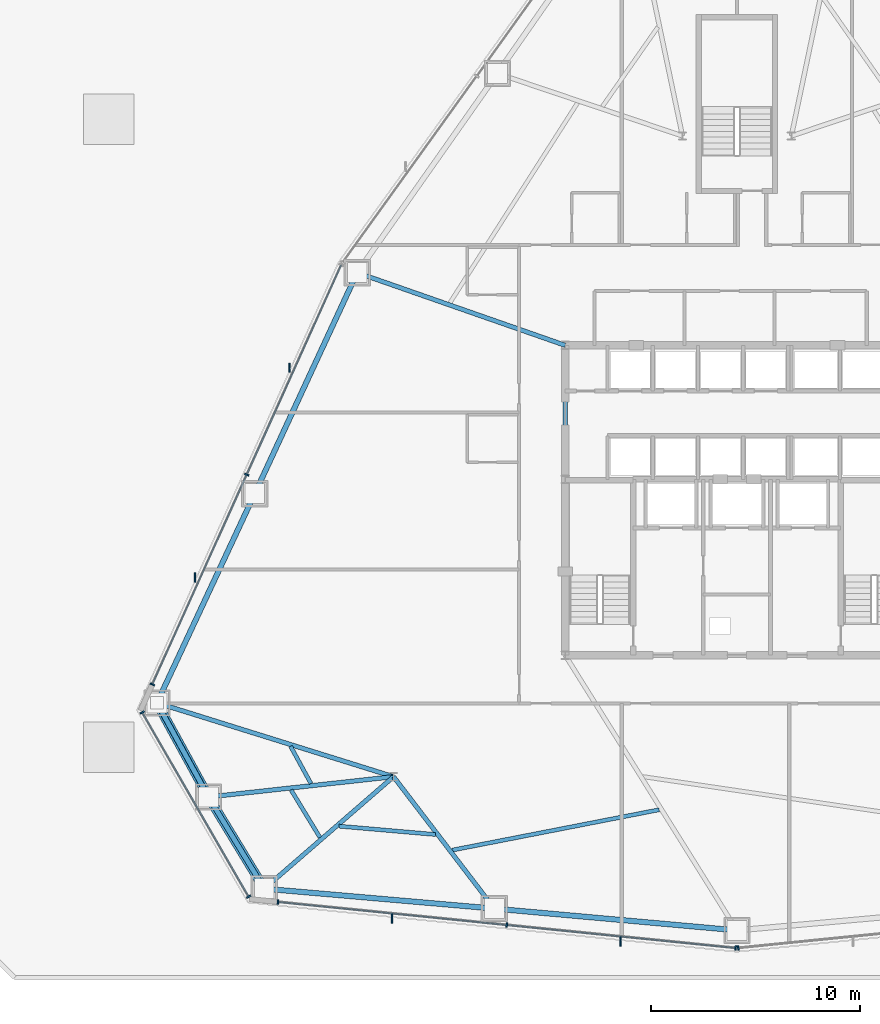
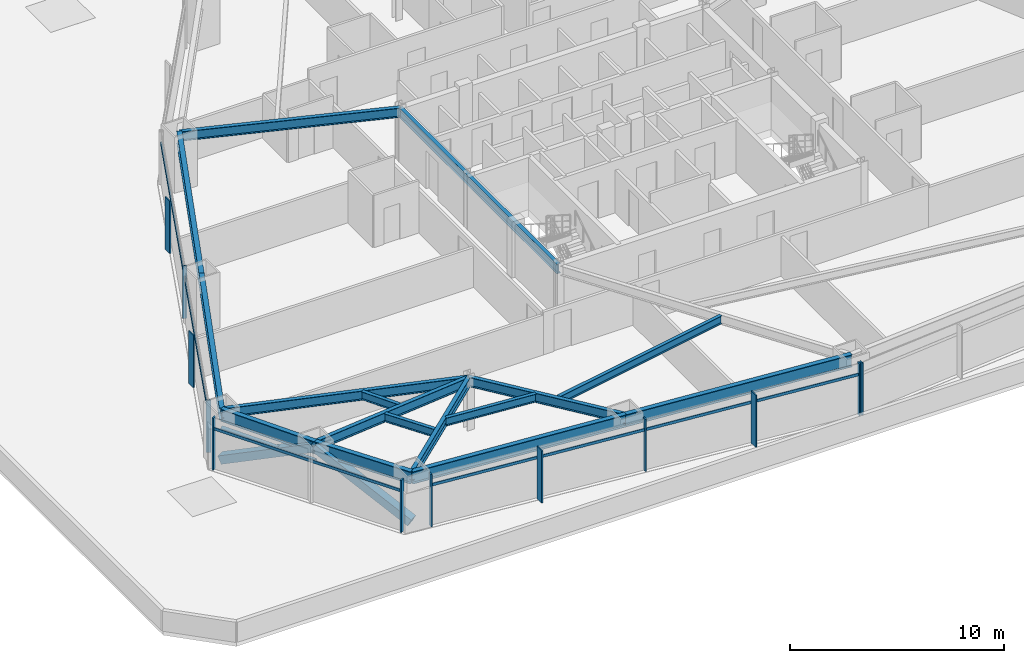
# One storey, part 5 of 17: 18 members, 16 beams, 4 elements without a shape of their own.
"""IFC4 building model written with IfcOpenShell, lengths in metres."""

from ifc_helpers import new_model, si_unit, direction, frame, origin, origin_2d, place, context, subcontext, project, spatial, rectangle, hollow_rectangle, hollow_circle, i_section, extrude, source, transform, mapped, material, layer, layer_set, material_profile, profile_set, type_object, type_shapes, element, aggregate, save


model = new_model("IFC4")

# Units and contexts
model_context = context("Model", 3, precision=1e-05, world=origin(), true_north=direction((0.0, 1.0)))
body_context = subcontext(model_context, "Body", "Model", "MODEL_VIEW")
ifc_project = project(units=[si_unit("LENGTHUNIT", "METRE"), si_unit("AREAUNIT", "SQUARE_METRE"), si_unit("VOLUMEUNIT", "CUBIC_METRE"), si_unit("PLANEANGLEUNIT", "RADIAN"), si_unit("MASSUNIT", "GRAM", prefix="KILO")], contexts=[model_context])

# Site, building, storey
site_placement = place(None, origin())
site = spatial("IfcSite", under=ifc_project, at=site_placement, CompositionType="ELEMENT")
building_placement = place(site_placement, origin())
building = spatial("IfcBuilding", under=site, at=building_placement, Name="Varakhsha Concourse Tower", CompositionType="ELEMENT")
storey_placement = place(building_placement, frame((0.0, 0.0, 27.199951171875)))
storey = spatial("IfcBuildingStorey", under=building, at=storey_placement, Name="L06", CompositionType="ELEMENT", Elevation=27.199951171875)

# Beams
ifc_material_1 = material(Name="Structural Steel ASTM A992 Grade 50", Category="steel")
ifc_material_profile_1 = material_profile(ifc_material_1, i_section(OverallWidth=0.19091796875, OverallDepth=0.45703125, WebThickness=0.009033203125, FlangeThickness=0.013916015625, at=origin_2d()), Name="W18X50")
ifc_profile_set_1 = profile_set([ifc_material_profile_1], Name="Structural Steel ASTM A992 Grade 50")
beam_type_1 = type_object("IfcBeamType", Name="BM-JST-W18X50", PredefinedType="JOIST", material=ifc_profile_set_1)
beam_1_placement = place(storey_placement, frame((18.68212890625, 12.054931640625, 2.75146484375), z_axis=(0.480061927363, -0.877234601402, 0.0), x_axis=(0.877234601402, 0.480061927363, 0.0)))
element("IfcBeam", 1, at=beam_1_placement, inside=storey, type_object=beam_type_1, Name="BM-TJST-L06-07", PredefinedType="JOIST", context=body_context, shape_type="SweptSolid", body=[
    extrude(i_section(OverallWidth=0.19091796875, OverallDepth=0.45703125, WebThickness=0.009033203125, FlangeThickness=0.013916015625, at=origin_2d()), origin(), (0.0, 0.0, 1.0), 2.03515625),
])
beam_2_placement = place(storey_placement, frame((18.708984375, 9.962890625, 2.75146484375), z_axis=(0.519566972443, -0.854429728618, 0.0), x_axis=(0.854429728618, 0.519566972443, 0.0)))
element("IfcBeam", 2, at=beam_2_placement, inside=storey, type_object=beam_type_1, Name="BM-TJST-L06-08", PredefinedType="JOIST", context=body_context, shape_type="SweptSolid", body=[
    extrude(i_section(OverallWidth=0.19091796875, OverallDepth=0.45703125, WebThickness=0.009033203125, FlangeThickness=0.013916015625, at=origin_2d()), origin(), (0.0, 0.0, 1.0), 2.650146484375),
])
beam_3_placement = place(storey_placement, frame((20.993408203125, 8.23681640625, 2.75146484375), z_axis=(0.996276100102, -0.08622025496, 0.0), x_axis=(0.08622025496, 0.996276100102, 0.0)))
element("IfcBeam", 3, at=beam_3_placement, inside=storey, type_object=beam_type_1, Name="BM-TJST-L06-09", PredefinedType="JOIST", context=body_context, shape_type="SweptSolid", body=[
    extrude(i_section(OverallWidth=0.19091796875, OverallDepth=0.45703125, WebThickness=0.009033203125, FlangeThickness=0.013916015625, at=origin_2d()), origin(), (0.0, 0.0, 1.0), 4.632568359375),
])
beam_4_placement = place(storey_placement, frame((26.40380859375, 7.0927734375, 2.75146484375), z_axis=(0.981492370996, 0.191501241972, 0.0), x_axis=(-0.191501241972, 0.981492370996, 0.0)))
element("IfcBeam", 4, at=beam_4_placement, inside=storey, type_object=beam_type_1, Name="BM-TJST-L06-10", PredefinedType="JOIST", context=body_context, shape_type="SweptSolid", body=[
    extrude(i_section(OverallWidth=0.19091796875, OverallDepth=0.45703125, WebThickness=0.009033203125, FlangeThickness=0.013916015625, at=origin_2d()), origin(), (0.0, 0.0, 1.0), 10.06640625),
])
ifc_material_profile_2 = material_profile(ifc_material_1, i_section(OverallWidth=0.2109375, OverallDepth=0.5390625, WebThickness=0.011962890625, FlangeThickness=0.01904296875, at=origin_2d()), Name="W21X73")
ifc_profile_set_2 = profile_set([ifc_material_profile_2], Name="Structural Steel ASTM A992 Grade 50")
beam_type_2 = type_object("IfcBeamType", Name="BM-RAD-W21X73", PredefinedType="BEAM", material=ifc_profile_set_2)
beam_5_placement = place(storey_placement, frame((31.800048828125, 16.39990234375, 2.71044921875), z_axis=(0.0, 1.0, 0.0), x_axis=(-1.0, 0.0, 0.0)))
element("IfcBeam", 5, at=beam_5_placement, inside=storey, type_object=beam_type_2, Name="BM-TCORE-L06-CW", PredefinedType="BEAM", context=body_context, shape_type="SweptSolid", body=[
    extrude(i_section(OverallWidth=0.2109375, OverallDepth=0.5390625, WebThickness=0.011962890625, FlangeThickness=0.01904296875, at=origin_2d()), origin(), (0.0, 0.0, 1.0), 14.800048828125),
])
beam_6_placement = place(storey_placement, frame((31.800048828125, 31.199951171875, 2.71044921875), z_axis=(-0.944069395278, 0.329746837587, 0.0), x_axis=(-0.329746837587, -0.944069395278, 0.0)))
element("IfcBeam", 6, at=beam_6_placement, inside=storey, type_object=beam_type_2, Name="L06 Radial Floor Girder 05", PredefinedType="BEAM", context=body_context, shape_type="SweptSolid", body=[
    extrude(i_section(OverallWidth=0.2109375, OverallDepth=0.5390625, WebThickness=0.011962890625, FlangeThickness=0.01904296875, at=origin_2d()), origin(), (0.0, 0.0, 1.0), 10.523193359375),
])
beam_7_placement = place(storey_placement, frame((23.60009765625, 10.60009765625, 2.71044921875), z_axis=(-0.954595165952, 0.297906141495, 0.0), x_axis=(-0.297906141495, -0.954595165952, 0.0)))
element("IfcBeam", 7, at=beam_7_placement, inside=storey, type_object=beam_type_2, Name="L06 Radial Floor Girder 07", PredefinedType="BEAM", context=body_context, shape_type="SweptSolid", body=[
    extrude(i_section(OverallWidth=0.2109375, OverallDepth=0.5390625, WebThickness=0.011962890625, FlangeThickness=0.01904296875, at=origin_2d()), origin(), (0.0, 0.0, 1.0), 11.834716796875),
])
beam_8_placement = place(storey_placement, frame((23.60009765625, 10.60009765625, 2.71044921875), z_axis=(-0.994025918026, -0.109144281995, 0.0), x_axis=(0.109144281995, -0.994025918026, 0.0)))
element("IfcBeam", 8, at=beam_8_placement, inside=storey, type_object=beam_type_2, Name="L06 Radial Floor Girder 08", PredefinedType="BEAM", context=body_context, shape_type="SweptSolid", body=[
    extrude(i_section(OverallWidth=0.2109375, OverallDepth=0.5390625, WebThickness=0.011962890625, FlangeThickness=0.01904296875, at=origin_2d()), origin(), (0.0, 0.0, 1.0), 8.889404296875),
])
beam_9_placement = place(storey_placement, frame((23.60009765625, 10.60009765625, 2.71044921875), z_axis=(-0.755728528056, -0.65488502188, 0.0), x_axis=(0.65488502188, -0.755728528056, 0.0)))
element("IfcBeam", 9, at=beam_9_placement, inside=storey, type_object=beam_type_2, Name="L06 Radial Floor Girder 09", PredefinedType="BEAM", context=body_context, shape_type="SweptSolid", body=[
    extrude(i_section(OverallWidth=0.2109375, OverallDepth=0.5390625, WebThickness=0.011962890625, FlangeThickness=0.01904296875, at=origin_2d()), origin(), (0.0, 0.0, 1.0), 8.16845703125),
])
beam_10_placement = place(storey_placement, frame((23.60009765625, 10.60009765625, 2.71044921875), z_axis=(0.607124337511, -0.794606845428, 0.0), x_axis=(0.794606845428, 0.607124337511, 0.0)))
element("IfcBeam", 10, at=beam_10_placement, inside=storey, type_object=beam_type_2, Name="L06 Radial Floor Girder 10", PredefinedType="BEAM", context=body_context, shape_type="SweptSolid", body=[
    extrude(i_section(OverallWidth=0.2109375, OverallDepth=0.5390625, WebThickness=0.011962890625, FlangeThickness=0.01904296875, at=origin_2d()), origin(), (0.0, 0.0, 1.0), 7.92919921875),
])
ifc_material_profile_3 = material_profile(ifc_material_1, i_section(OverallWidth=0.25390625, OverallDepth=0.701904296875, WebThickness=0.014892578125, FlangeThickness=0.028076171875, at=origin_2d()), Name="W27X129")
ifc_profile_set_3 = profile_set([ifc_material_profile_3], Name="Structural Steel ASTM A992 Grade 50")
beam_type_3 = type_object("IfcBeamType", Name="BM-SPAN-W27X129", PredefinedType="SPANDREL", material=ifc_profile_set_3)
beam_11_placement = place(storey_placement, frame((21.865478515625, 34.669921875, 2.629150390625), z_axis=(-0.420598806974, -0.907246737978, 0.0), x_axis=(0.907246737978, -0.420598806974, 0.0)))
element("IfcBeam", 11, at=beam_11_placement, inside=storey, type_object=beam_type_3, Name="BM-SPAN-L06-05", PredefinedType="SPANDREL", context=body_context, shape_type="SweptSolid", body=[
    extrude(i_section(OverallWidth=0.25390625, OverallDepth=0.701904296875, WebThickness=0.014892578125, FlangeThickness=0.028076171875, at=origin_2d()), origin(), (0.0, 0.0, 1.0), 11.63232421875),
])
beam_12_placement = place(storey_placement, frame((16.972900390625, 24.116455078125, 2.629150390625), z_axis=(-0.423468305163, -0.90591091975, 0.0), x_axis=(0.90591091975, -0.423468305163, 0.0)))
element("IfcBeam", 12, at=beam_12_placement, inside=storey, type_object=beam_type_3, Name="BM-SPAN-L06-06", PredefinedType="SPANDREL", context=body_context, shape_type="SweptSolid", body=[
    extrude(i_section(OverallWidth=0.25390625, OverallDepth=0.701904296875, WebThickness=0.014892578125, FlangeThickness=0.028076171875, at=origin_2d()), origin(), (0.0, 0.0, 1.0), 11.0283203125),
])
beam_13_placement = place(storey_placement, frame((12.302734375, 14.125732421875, 2.629150390625), z_axis=(0.480189853619, -0.877164582323, 0.0), x_axis=(0.877164582323, 0.480189853619, 0.0)))
element("IfcBeam", 13, at=beam_13_placement, inside=storey, type_object=beam_type_3, Name="BM-SPAN-L06-07", PredefinedType="SPANDREL", context=body_context, shape_type="SweptSolid", body=[
    extrude(i_section(OverallWidth=0.25390625, OverallDepth=0.701904296875, WebThickness=0.014892578125, FlangeThickness=0.028076171875, at=origin_2d()), origin(), (0.0, 0.0, 1.0), 5.12548828125),
])
beam_14_placement = place(storey_placement, frame((14.763916015625, 9.6298828125, 2.629150390625), z_axis=(0.519593292706, -0.854413723072, 0.0), x_axis=(0.854413723072, 0.519593292706, 0.0)))
element("IfcBeam", 14, at=beam_14_placement, inside=storey, type_object=beam_type_3, Name="BM-SPAN-L06-08", PredefinedType="SPANDREL", context=body_context, shape_type="SweptSolid", body=[
    extrude(i_section(OverallWidth=0.25390625, OverallDepth=0.701904296875, WebThickness=0.014892578125, FlangeThickness=0.028076171875, at=origin_2d()), origin(), (0.0, 0.0, 1.0), 5.125244140625),
])
beam_15_placement = place(storey_placement, frame((17.427001953125, 5.250732421875, 2.629150390625), z_axis=(0.996273577178, -0.086249402411, 0.0), x_axis=(0.086249402411, 0.996273577178, 0.0)))
element("IfcBeam", 15, at=beam_15_placement, inside=storey, type_object=beam_type_3, Name="BM-SPAN-L06-09", PredefinedType="SPANDREL", context=body_context, shape_type="SweptSolid", body=[
    extrude(i_section(OverallWidth=0.25390625, OverallDepth=0.701904296875, WebThickness=0.014892578125, FlangeThickness=0.028076171875, at=origin_2d()), origin(), (0.0, 0.0, 1.0), 11.028076171875),
])
beam_16_placement = place(storey_placement, frame((28.4140625, 4.299560546875, 2.629150390625), z_axis=(0.995998835259, -0.089366213767, 0.0), x_axis=(0.089366213767, 0.995998835259, 0.0)))
element("IfcBeam", 16, at=beam_16_placement, inside=storey, type_object=beam_type_3, Name="BM-SPAN-L06-10", PredefinedType="SPANDREL", context=body_context, shape_type="SweptSolid", body=[
    extrude(i_section(OverallWidth=0.25390625, OverallDepth=0.701904296875, WebThickness=0.014892578125, FlangeThickness=0.028076171875, at=origin_2d()), origin(), (0.0, 0.0, 1.0), 11.632568359375),
])

# Members
ifc_material_2 = material(Name="Structural Steel ASTM A500 Grade C", Category="steel")
ifc_material_profile_4 = material_profile(ifc_material_2, hollow_rectangle(XDim=0.449951171875, YDim=0.449951171875, WallThickness=0.01904296875, at=origin_2d()), Name="HSS 450x450x19")
ifc_profile_set_4 = profile_set([ifc_material_profile_4], Name="Structural Steel ASTM A500 Grade C")
member_type_1 = type_object("IfcMemberType", Name="MB-TUBE-HSS450", PredefinedType="BRACE", material=ifc_profile_set_4)
shared_shape_1 = source(origin(), body_context, "Body", "SweptSolid", [
    extrude(hollow_rectangle(XDim=0.449951171875, YDim=0.449951171875, WallThickness=0.01904296875, at=origin_2d()), origin(), (0.0, 0.0, 1.0), 5.72900390625),
])
type_shapes(member_type_1, [shared_shape_1])
for number, where, z_axis, x_axis, name in (
    (17, (12.302734375, 14.125732421875, 0.1201171875), (0.429592137796, -0.784737547616, 0.446808209979), (0.877164582323, 0.480189853619, 0.0), "L06 Wind-Corner Tube Brace B03"),
    (18, (17.427001953125, 5.250732421875, 0.1201171875), (-0.464841695166, 0.764380774312, 0.446815655832), (-0.854413723072, -0.519593292706, 0.0), "L06 Wind-Corner Tube Brace B04"),
):
    element("IfcMember", number, at=place(storey_placement, frame(where, z_axis=z_axis, x_axis=x_axis)), inside=storey, type_object=member_type_1, Name=name, PredefinedType="BRACE", context=body_context, shape_type="MappedRepresentation", body=[
        mapped(shared_shape_1, transform((0.0, 0.0, 0.0), scale=1.0)),
    ])
ifc_material_profile_5 = material_profile(ifc_material_2, hollow_circle(Radius=0.136474609375, WallThickness=0.011962890625, at=origin_2d()), Name="CHS 273x12")
ifc_profile_set_5 = profile_set([ifc_material_profile_5], Name="Structural Steel ASTM A500 Grade C")
member_type_2 = type_object("IfcMemberType", Name="MB-WIND-CHS273", PredefinedType="COLLAR", material=ifc_profile_set_5)
shared_shape_2 = source(origin(), body_context, "Body", "SweptSolid", [
    extrude(hollow_circle(Radius=0.136474609375, WallThickness=0.011962890625, at=origin_2d()), origin(), (0.0, 0.0, 1.0), 5.12548828125),
])
type_shapes(member_type_2, [shared_shape_2])
member_1_placement = place(storey_placement, frame((12.302734375, 14.125732421875, 1.800048828125), z_axis=(0.480189853619, -0.877164582323, 0.0), x_axis=(0.877164582323, 0.480189853619, 0.0)))
element("IfcMember", 19, at=member_1_placement, inside=storey, type_object=member_type_2, Name="L06 Wind-Corner Collar Tie 2", PredefinedType="COLLAR", context=body_context, shape_type="MappedRepresentation", body=[
    mapped(shared_shape_2, transform((0.0, 0.0, 0.0), scale=1.0)),
])

# Curtain wall, members
ifc_material_3 = material(Name="Anodised Bronze Architectural Aluminium AA 6063-T6", Category="aluminium")
ifc_layer = layer(ifc_material_3, 0.219970703125, Name="CW-SYS-02")
ifc_layer_set = layer_set([ifc_layer], Name="Anodised Bronze Architectural Aluminium AA 6063-T6")
curtain_wall_type = type_object("IfcCurtainWallType", Name="CW-SYS-02", PredefinedType="NOTDEFINED", material=ifc_layer_set)
curtain_wall_1_placement = place(storey_placement, origin())
curtain_wall_1 = element("IfcCurtainWall", 20, at=curtain_wall_1_placement, inside=storey, type_object=curtain_wall_type, Name="L06 Crystal Curtain Wall F3", PredefinedType="NOTDEFINED")
ifc_material_profile_6 = material_profile(ifc_material_3, rectangle(XDim=0.074951171875, YDim=0.219970703125, at=origin_2d()), Name="CWM-220X75")
ifc_profile_set_6 = profile_set([ifc_material_profile_6], Name="Anodised Bronze Architectural Aluminium AA 6063-T6")
member_type_3 = type_object("IfcMemberType", Name="CWM-220X75", PredefinedType="MULLION", material=ifc_profile_set_6)
shared_shape_3 = source(origin(), body_context, "Body", "SweptSolid", [
    extrude(rectangle(XDim=0.074951171875, YDim=0.219970703125, at=origin_2d()), origin(), (0.0, 0.0, 1.0), 2.97998046875),
])
type_shapes(member_type_3, [shared_shape_3])
member_2_placement = place(storey_placement, frame((12.080810546875, 15.0087890625, 0.0), z_axis=(0.0, 0.0, 1.0), x_axis=(0.410683843161, 0.911777813377, 0.0)))
member_2 = element("IfcMember", 21, at=member_2_placement, type_object=member_type_3, Name="CW-L06-F3 Mullion 00", PredefinedType="MULLION", context=body_context, shape_type="MappedRepresentation", body=[
    mapped(shared_shape_3, transform((0.0, 0.0, 0.0), scale=1.0)),
])
member_3_placement = place(storey_placement, frame((16.59130859375, 25.023193359375, 0.0), z_axis=(0.0, 0.0, 1.0), x_axis=(0.410683843161, 0.911777813377, 0.0)))
member_3 = element("IfcMember", 22, at=member_3_placement, type_object=member_type_3, Name="CW-L06-F3 Mullion 01", PredefinedType="MULLION", context=body_context, shape_type="MappedRepresentation", body=[
    mapped(shared_shape_3, transform((0.0, 0.0, 0.0), scale=1.0)),
])

curtain_wall_2_placement = place(storey_placement, origin())
curtain_wall_2 = element("IfcCurtainWall", 23, at=curtain_wall_2_placement, inside=storey, type_object=curtain_wall_type, Name="L06 Chamfer Curtain Wall F4", PredefinedType="NOTDEFINED")
member_4_placement = place(storey_placement, frame((16.680419921875, 4.87060546875, 0.0), z_axis=(0.0, 0.0, 1.0), x_axis=(-0.499996976998, 0.866027149108, 0.0)))
member_4 = element("IfcMember", 24, at=member_4_placement, type_object=member_type_3, Name="CW-L06-F4 Mullion 00", PredefinedType="MULLION", context=body_context, shape_type="MappedRepresentation", body=[
    mapped(shared_shape_3, transform((0.0, 0.0, 0.0), scale=1.0)),
])
member_5_placement = place(storey_placement, frame((11.600341796875, 13.66943359375, 0.0), z_axis=(0.0, 0.0, 1.0), x_axis=(-0.499996976998, 0.866027149108, 0.0)))
member_5 = element("IfcMember", 25, at=member_5_placement, type_object=member_type_3, Name="CW-L06-F4 Mullion 01", PredefinedType="MULLION", context=body_context, shape_type="MappedRepresentation", body=[
    mapped(shared_shape_3, transform((0.0, 0.0, 0.0), scale=1.0)),
])

curtain_wall_3_placement = place(storey_placement, origin())
curtain_wall_3 = element("IfcCurtainWall", 26, at=curtain_wall_3_placement, inside=storey, type_object=curtain_wall_type, Name="L06 Crystal Curtain Wall F5", PredefinedType="NOTDEFINED")
member_6_placement = place(storey_placement, frame((39.936279296875, 2.415283203125, 0.0), z_axis=(0.0, 0.0, 1.0), x_axis=(-0.994964670572, 0.100226265587, 0.0)))
member_6 = element("IfcMember", 27, at=member_6_placement, type_object=member_type_3, Name="CW-L06-F5 Mullion 00", PredefinedType="MULLION", context=body_context, shape_type="MappedRepresentation", body=[
    mapped(shared_shape_3, transform((0.0, 0.0, 0.0), scale=1.0)),
])
member_7_placement = place(storey_placement, frame((29.008544921875, 3.51611328125, 0.0), z_axis=(0.0, 0.0, 1.0), x_axis=(-0.994964670572, 0.100226265587, 0.0)))
member_7 = element("IfcMember", 28, at=member_7_placement, type_object=member_type_3, Name="CW-L06-F5 Mullion 01", PredefinedType="MULLION", context=body_context, shape_type="MappedRepresentation", body=[
    mapped(shared_shape_3, transform((0.0, 0.0, 0.0), scale=1.0)),
])
member_8_placement = place(storey_placement, frame((18.080810546875, 4.61669921875, 0.0), z_axis=(0.0, 0.0, 1.0), x_axis=(-0.994964670572, 0.100226265587, 0.0)))
member_8 = element("IfcMember", 29, at=member_8_placement, type_object=member_type_3, Name="CW-L06-F5 Mullion 02", PredefinedType="MULLION", context=body_context, shape_type="MappedRepresentation", body=[
    mapped(shared_shape_3, transform((0.0, 0.0, 0.0), scale=1.0)),
])

# Curtain wall, member
curtain_wall_4_placement = place(storey_placement, origin())
curtain_wall_4 = element("IfcCurtainWall", 30, at=curtain_wall_4_placement, inside=storey, type_object=curtain_wall_type, Name="L06 Crystal Curtain Wall F6", PredefinedType="NOTDEFINED")
member_9_placement = place(storey_placement, frame((40.063720703125, 2.415283203125, 0.0), z_axis=(0.0, 0.0, 1.0), x_axis=(-0.994964670572, -0.100226265587, 0.0)))
member_9 = element("IfcMember", 31, at=member_9_placement, type_object=member_type_3, Name="CW-L06-F6 Mullion 02", PredefinedType="MULLION", context=body_context, shape_type="MappedRepresentation", body=[
    mapped(shared_shape_3, transform((0.0, 0.0, 0.0), scale=1.0)),
])
aggregate(curtain_wall_4, [member_9])

# Member
ifc_material_profile_7 = material_profile(ifc_material_3, rectangle(XDim=0.06494140625, YDim=0.159912109375, at=origin_2d()), Name="CWT-160X65")
ifc_profile_set_7 = profile_set([ifc_material_profile_7], Name="Anodised Bronze Architectural Aluminium AA 6063-T6")
member_type_4 = type_object("IfcMemberType", Name="CWT-160X65", PredefinedType="USERDEFINED", material=ifc_profile_set_7)
shared_shape_4 = source(origin(), body_context, "Body", "SweptSolid", [
    extrude(rectangle(XDim=0.06494140625, YDim=0.159912109375, at=origin_2d()), origin(), (0.0, 0.0, 1.0), 10.16015625),
])
member_10_placement = place(storey_placement, frame((16.680419921875, 4.87060546875, 2.330078125), z_axis=(-0.500005339912, 0.866022320763, 0.0), x_axis=(-0.866022320763, -0.500005339912, 0.0)))
member_10 = element("IfcMember", 32, at=member_10_placement, type_object=member_type_4, Name="CW-L06-F4 Transom 01", ObjectType="TRANSOM", PredefinedType="USERDEFINED", context=body_context, shape_type="MappedRepresentation", body=[
    mapped(shared_shape_4, transform((0.0, 0.0, 0.0), scale=1.0)),
])

aggregate(curtain_wall_2, [member_4, member_5, member_10])

ifc_material_profile_8 = material_profile(ifc_material_3, rectangle(XDim=0.06494140625, YDim=0.449951171875, at=origin_2d()), Name="FIN-BRZ-450")
ifc_profile_set_8 = profile_set([ifc_material_profile_8], Name="Anodised Bronze Architectural Aluminium AA 6063-T6")
member_type_5 = type_object("IfcMemberType", Name="FIN-BRZ-450", PredefinedType="USERDEFINED", material=ifc_profile_set_8)
shared_shape_5 = source(origin(), body_context, "Body", "SweptSolid", [
    extrude(rectangle(XDim=0.06494140625, YDim=0.449951171875, at=origin_2d()), origin(), (0.0, 0.0, 1.0), 2.97998046875),
])
type_shapes(member_type_5, [shared_shape_5])
member_11_placement = place(storey_placement, frame((14.1171875, 20.114501953125, 0.0), z_axis=(0.0, 0.0, 1.0), x_axis=(1.0, 0.0, 0.0)))
member_11 = element("IfcMember", 33, at=member_11_placement, type_object=member_type_5, Name="L06 Anodised Bronze Solar Fin F3-1", ObjectType="SOLAR FIN", PredefinedType="USERDEFINED", context=body_context, shape_type="MappedRepresentation", body=[
    mapped(shared_shape_5, transform((0.0, 0.0, 0.0), scale=1.0)),
])

member_12_placement = place(storey_placement, frame((18.6279296875, 30.12890625, 0.0), z_axis=(0.0, 0.0, 1.0), x_axis=(1.0, 0.0, 0.0)))
member_12 = element("IfcMember", 34, at=member_12_placement, type_object=member_type_5, Name="L06 Anodised Bronze Solar Fin F3-2", ObjectType="SOLAR FIN", PredefinedType="USERDEFINED", context=body_context, shape_type="MappedRepresentation", body=[
    mapped(shared_shape_5, transform((0.0, 0.0, 0.0), scale=1.0)),
])

member_13_placement = place(storey_placement, frame((34.448486328125, 2.726806640625, 0.0), z_axis=(0.0, 0.0, 1.0), x_axis=(1.0, 0.0, 0.0)))
member_13 = element("IfcMember", 35, at=member_13_placement, type_object=member_type_5, Name="L06 Anodised Bronze Solar Fin F5-1", ObjectType="SOLAR FIN", PredefinedType="USERDEFINED", context=body_context, shape_type="MappedRepresentation", body=[
    mapped(shared_shape_5, transform((0.0, 0.0, 0.0), scale=1.0)),
])

member_14_placement = place(storey_placement, frame((23.5205078125, 3.82763671875, 0.0), z_axis=(0.0, 0.0, 1.0), x_axis=(1.0, 0.0, 0.0)))
member_14 = element("IfcMember", 36, at=member_14_placement, type_object=member_type_5, Name="L06 Anodised Bronze Solar Fin F5-2", ObjectType="SOLAR FIN", PredefinedType="USERDEFINED", context=body_context, shape_type="MappedRepresentation", body=[
    mapped(shared_shape_5, transform((0.0, 0.0, 0.0), scale=1.0)),
])

shared_shape_6 = source(origin(), body_context, "Body", "SweptSolid", [
    extrude(rectangle(XDim=0.06494140625, YDim=0.159912109375, at=origin_2d()), origin(), (0.0, 0.0, 1.0), 21.966552734375),
])
member_15_placement = place(storey_placement, frame((12.080810546875, 15.0087890625, 2.330078125), z_axis=(0.410682136042, 0.911778582297, 0.0), x_axis=(-0.911778582297, 0.410682136042, 0.0)))
member_15 = element("IfcMember", 37, at=member_15_placement, type_object=member_type_4, Name="CW-L06-F3 Transom 01", ObjectType="TRANSOM", PredefinedType="USERDEFINED", context=body_context, shape_type="MappedRepresentation", body=[
    mapped(shared_shape_6, transform((0.0, 0.0, 0.0), scale=1.0)),
])

aggregate(curtain_wall_1, [member_2, member_3, member_15, member_11, member_12])

shared_shape_7 = source(origin(), body_context, "Body", "SweptSolid", [
    extrude(rectangle(XDim=0.06494140625, YDim=0.159912109375, at=origin_2d()), origin(), (0.0, 0.0, 1.0), 21.966064453125),
])
type_shapes(member_type_4, [shared_shape_4, shared_shape_6, shared_shape_7])
member_16_placement = place(storey_placement, frame((39.936279296875, 2.415283203125, 2.330078125), z_axis=(-0.99496540449, 0.100218979583, 0.0), x_axis=(-0.100218979583, -0.99496540449, 0.0)))
member_16 = element("IfcMember", 38, at=member_16_placement, type_object=member_type_4, Name="CW-L06-F5 Transom 01", ObjectType="TRANSOM", PredefinedType="USERDEFINED", context=body_context, shape_type="MappedRepresentation", body=[
    mapped(shared_shape_7, transform((0.0, 0.0, 0.0), scale=1.0)),
])

aggregate(curtain_wall_3, [member_6, member_7, member_8, member_16, member_13, member_14])

save(model, "model.ifc")
